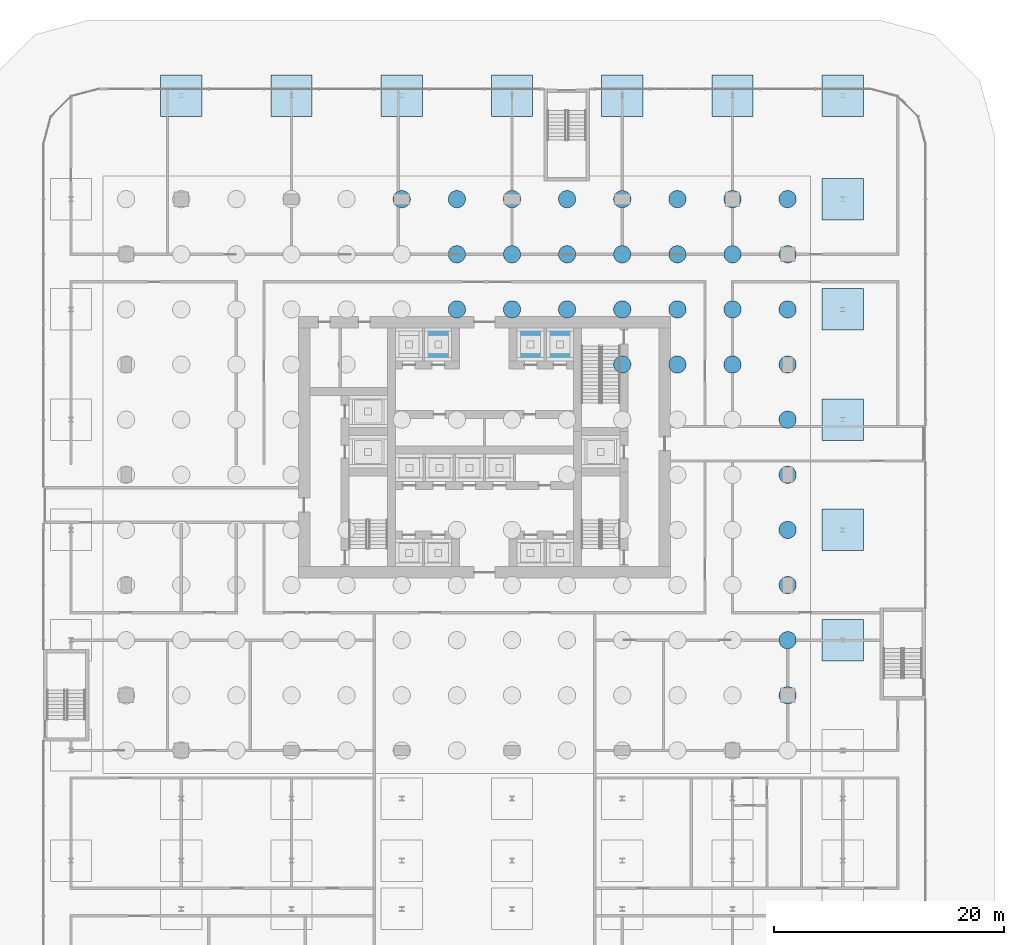
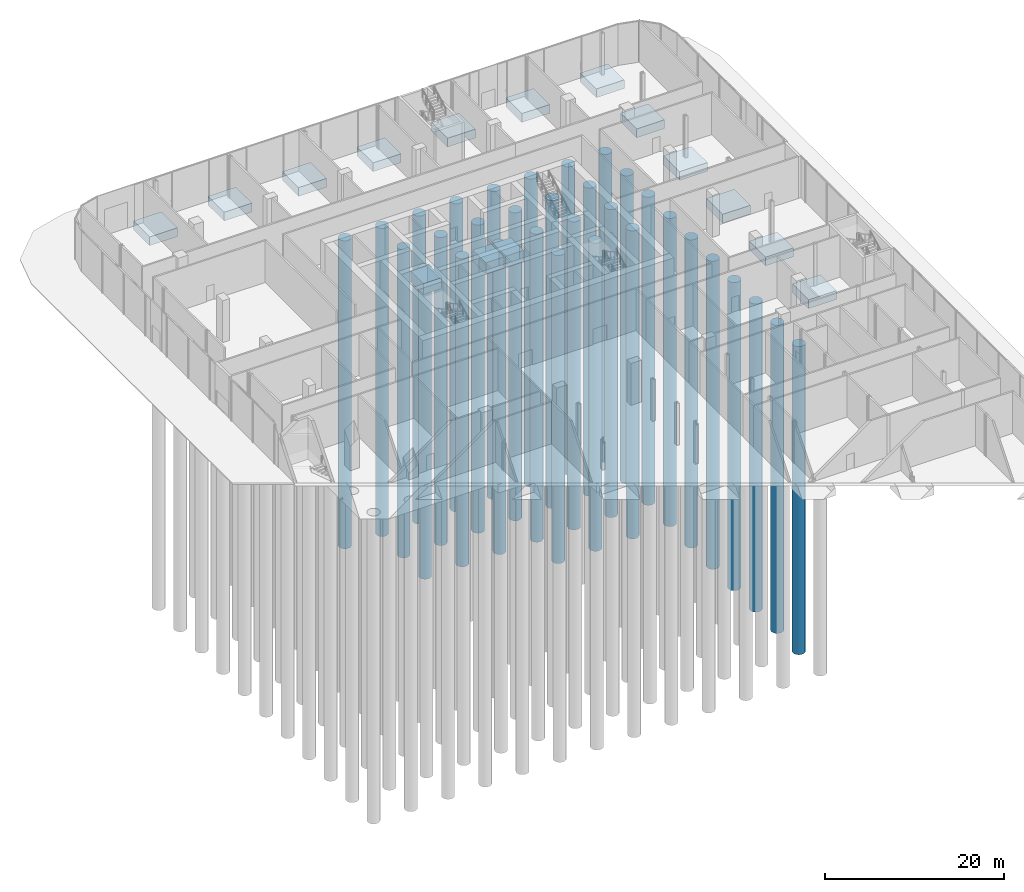
# One storey, part 2 of 44: 32 piles, 15 footings.
"""IFC4 building model written with IfcOpenShell, lengths in metres."""

from ifc_helpers import new_model, si_unit, direction, frame, origin, origin_2d, place, context, subcontext, project, spatial, polyline, rectangle, circle, outline, extrude, material, layer, layer_set, material_profile, profile_set, type_object, element, save


model = new_model("IFC4")

# Units and contexts
model_context = context("Model", 3, precision=1e-05, world=origin(), true_north=direction((0.0, 1.0)))
body_context = subcontext(model_context, "Body", "Model", "MODEL_VIEW")
ifc_project = project(units=[si_unit("LENGTHUNIT", "METRE"), si_unit("AREAUNIT", "SQUARE_METRE"), si_unit("VOLUMEUNIT", "CUBIC_METRE"), si_unit("PLANEANGLEUNIT", "RADIAN"), si_unit("MASSUNIT", "GRAM", prefix="KILO")], contexts=[model_context])

# Site, building, storey
site_placement = place(None, origin())
site = spatial("IfcSite", under=ifc_project, at=site_placement, CompositionType="ELEMENT")
building_placement = place(site_placement, origin())
building = spatial("IfcBuilding", under=site, at=building_placement, Name="Madar Terraces", CompositionType="ELEMENT")
storey_placement = place(building_placement, origin())
storey = spatial("IfcBuildingStorey", under=building, at=storey_placement, Name="L00", CompositionType="ELEMENT", Elevation=0.0)

# Piles
ifc_material_1 = material(Name="Concrete C40/50", Category="concrete")
ifc_material_profile = material_profile(ifc_material_1, circle(Radius=0.75, at=origin_2d()), Name="BP1 bored pile 1500")
ifc_profile_set = profile_set([ifc_material_profile], Name="Concrete C40/50")
pile_type = type_object("IfcPileType", Name="BP1 bored pile 1500", PredefinedType="BORED", material=ifc_profile_set)
for number, where, z_axis, x_axis, name in (
    (1, (57.60009765625, 4.800048828125, -3.300048828125), (0.0, 0.0, -1.0), (1.0, 0.0, 0.0), "Bored pile"),
    (2, (57.60009765625, 9.60009765625, -3.300048828125), (0.0, 0.0, -1.0), (1.0, 0.0, 0.0), "Bored pile"),
    (3, (57.60009765625, 14.39990234375, -3.300048828125), (0.0, 0.0, -1.0), (1.0, 0.0, 0.0), "Bored pile"),
    (4, (57.60009765625, 19.199951171875, -3.300048828125), (0.0, 0.0, -1.0), (1.0, 0.0, 0.0), "Bored pile"),
    (5, (57.60009765625, 24.0, -3.300048828125), (0.0, 0.0, -1.0), (1.0, 0.0, 0.0), "Bored pile"),
    (6, (57.60009765625, 28.800048828125, -3.300048828125), (0.0, 0.0, -1.0), (1.0, 0.0, 0.0), "Bored pile"),
    (7, (43.199951171875, 33.60009765625, -3.300048828125), (0.0, 0.0, -1.0), (1.0, 0.0, 0.0), "Bored pile"),
    (8, (48.0, 33.60009765625, -3.300048828125), (0.0, 0.0, -1.0), (1.0, 0.0, 0.0), "Bored pile"),
    (9, (52.800048828125, 33.60009765625, -3.300048828125), (0.0, 0.0, -1.0), (1.0, 0.0, 0.0), "Bored pile"),
    (10, (57.60009765625, 33.60009765625, -3.300048828125), (0.0, 0.0, -1.0), (1.0, 0.0, 0.0), "Bored pile"),
    (11, (28.800048828125, 38.39990234375, -3.300048828125), (0.0, 0.0, -1.0), (1.0, 0.0, 0.0), "Bored pile"),
    (12, (33.60009765625, 38.39990234375, -3.300048828125), (0.0, 0.0, -1.0), (1.0, 0.0, 0.0), "Bored pile"),
    (13, (38.39990234375, 38.39990234375, -3.300048828125), (0.0, 0.0, -1.0), (1.0, 0.0, 0.0), "Bored pile"),
    (14, (43.199951171875, 38.39990234375, -3.300048828125), (0.0, 0.0, -1.0), (1.0, 0.0, 0.0), "Bored pile"),
    (15, (48.0, 38.39990234375, -3.300048828125), (0.0, 0.0, -1.0), (1.0, 0.0, 0.0), "Bored pile"),
    (16, (52.800048828125, 38.39990234375, -3.300048828125), (0.0, 0.0, -1.0), (1.0, 0.0, 0.0), "Bored pile"),
    (17, (57.60009765625, 38.39990234375, -3.300048828125), (0.0, 0.0, -1.0), (1.0, 0.0, 0.0), "Bored pile"),
    (18, (28.800048828125, 43.199951171875, -3.300048828125), (0.0, 0.0, -1.0), (1.0, 0.0, 0.0), "Bored pile"),
    (19, (33.60009765625, 43.199951171875, -3.300048828125), (0.0, 0.0, -1.0), (1.0, 0.0, 0.0), "Bored pile"),
    (20, (38.39990234375, 43.199951171875, -3.300048828125), (0.0, 0.0, -1.0), (1.0, 0.0, 0.0), "Bored pile"),
    (21, (43.199951171875, 43.199951171875, -3.300048828125), (0.0, 0.0, -1.0), (1.0, 0.0, 0.0), "Bored pile"),
    (22, (48.0, 43.199951171875, -3.300048828125), (0.0, 0.0, -1.0), (1.0, 0.0, 0.0), "Bored pile"),
    (23, (52.800048828125, 43.199951171875, -3.300048828125), (0.0, 0.0, -1.0), (1.0, 0.0, 0.0), "Bored pile"),
    (24, (57.60009765625, 43.199951171875, -3.300048828125), (0.0, 0.0, -1.0), (1.0, 0.0, 0.0), "Bored pile"),
    (25, (24.0, 48.0, -3.300048828125), (0.0, 0.0, -1.0), (1.0, 0.0, 0.0), "Bored pile"),
    (26, (28.800048828125, 48.0, -3.300048828125), (0.0, 0.0, -1.0), (1.0, 0.0, 0.0), "Bored pile"),
    (27, (33.60009765625, 48.0, -3.300048828125), (0.0, 0.0, -1.0), (1.0, 0.0, 0.0), "Bored pile"),
    (28, (38.39990234375, 48.0, -3.300048828125), (0.0, 0.0, -1.0), (1.0, 0.0, 0.0), "Bored pile"),
    (29, (43.199951171875, 48.0, -3.300048828125), (0.0, 0.0, -1.0), (1.0, 0.0, 0.0), "Bored pile"),
    (30, (48.0, 48.0, -3.300048828125), (0.0, 0.0, -1.0), (1.0, 0.0, 0.0), "Bored pile"),
    (31, (52.800048828125, 48.0, -3.300048828125), (0.0, 0.0, -1.0), (1.0, 0.0, 0.0), "Bored pile"),
    (32, (57.60009765625, 48.0, -3.300048828125), (0.0, 0.0, -1.0), (1.0, 0.0, 0.0), "Bored pile"),
):
    element("IfcPile", number, at=place(storey_placement, frame(where, z_axis=z_axis, x_axis=x_axis)), inside=storey, type_object=pile_type, Name=name, PredefinedType="BORED", context=body_context, shape_type="SweptSolid", body=[
        extrude(circle(Radius=0.75, at=origin_2d()), origin(), (0.0, 0.0, 1.0), 42.0),
    ])

# Footings
ifc_material_2 = material(Name="Concrete C40/50", Category="concrete")
ifc_layer = layer(ifc_material_2, 1.5)
ifc_layer_set = layer_set([ifc_layer], Name="Lift pit footing C40/50")
footing_type_1 = type_object("IfcFootingType", Name="Lift pit footing C40/50", PredefinedType="PAD_FOOTING", material=ifc_layer_set)
footing_1_placement = place(storey_placement, frame((0.0, 0.0, -3.300048828125)))
element("IfcFooting", 33, at=footing_1_placement, inside=storey, type_object=footing_type_1, Name="LIFT PIT FOOTING", PredefinedType="PAD_FOOTING", context=body_context, shape_type="SweptSolid", body=[
    extrude(outline(polyline([(26.0, 33.89990234375), (28.35009765625, 33.89990234375), (28.35009765625, 36.800048828125), (26.0, 36.800048828125), (26.0, 33.89990234375)])), origin(), (0.0, 0.0, 1.0), 1.5),
])
footing_2_placement = place(storey_placement, frame((0.0, 0.0, -3.300048828125)))
element("IfcFooting", 34, at=footing_2_placement, inside=storey, type_object=footing_type_1, Name="LIFT PIT FOOTING", PredefinedType="PAD_FOOTING", context=body_context, shape_type="SweptSolid", body=[
    extrude(outline(polyline([(34.050048828125, 33.89990234375), (36.39990234375, 33.89990234375), (36.39990234375, 36.800048828125), (34.050048828125, 36.800048828125), (34.050048828125, 33.89990234375)])), origin(), (0.0, 0.0, 1.0), 1.5),
])
footing_3_placement = place(storey_placement, frame((0.0, 0.0, -3.300048828125)))
element("IfcFooting", 35, at=footing_3_placement, inside=storey, type_object=footing_type_1, Name="LIFT PIT FOOTING", PredefinedType="PAD_FOOTING", context=body_context, shape_type="SweptSolid", body=[
    extrude(outline(polyline([(36.60009765625, 33.89990234375), (38.949951171875, 33.89990234375), (38.949951171875, 36.800048828125), (36.60009765625, 36.800048828125), (36.60009765625, 33.89990234375)])), origin(), (0.0, 0.0, 1.0), 1.5),
])
ifc_material_3 = material(Name="Concrete C40/50", Category="concrete")
footing_type_2 = type_object("IfcFootingType", Name="PD1 spread pad 3600", PredefinedType="PAD_FOOTING", material=ifc_material_3)
for number, where, z_axis, x_axis, name in (
    (36, (4.800048828125, 57.0, -1.5), (0.0, 0.0, 1.0), (1.0, 0.0, 0.0), "Spread pad under podium column"),
    (37, (14.39990234375, 57.0, -1.5), (0.0, 0.0, 1.0), (1.0, 0.0, 0.0), "Spread pad under podium column"),
    (38, (24.0, 57.0, -1.5), (0.0, 0.0, 1.0), (1.0, 0.0, 0.0), "Spread pad under podium column"),
    (39, (33.60009765625, 57.0, -1.5), (0.0, 0.0, 1.0), (1.0, 0.0, 0.0), "Spread pad under podium column"),
    (40, (43.199951171875, 57.0, -1.5), (0.0, 0.0, 1.0), (1.0, 0.0, 0.0), "Spread pad under podium column"),
    (41, (52.800048828125, 57.0, -1.5), (0.0, 0.0, 1.0), (1.0, 0.0, 0.0), "Spread pad under podium column"),
    (42, (62.39990234375, 9.60009765625, -1.5), (0.0, 0.0, 1.0), (1.0, 0.0, 0.0), "Spread pad under podium column"),
    (43, (62.39990234375, 19.199951171875, -1.5), (0.0, 0.0, 1.0), (1.0, 0.0, 0.0), "Spread pad under podium column"),
    (44, (62.39990234375, 28.800048828125, -1.5), (0.0, 0.0, 1.0), (1.0, 0.0, 0.0), "Spread pad under podium column"),
    (45, (62.39990234375, 38.39990234375, -1.5), (0.0, 0.0, 1.0), (1.0, 0.0, 0.0), "Spread pad under podium column"),
    (46, (62.39990234375, 48.0, -1.5), (0.0, 0.0, 1.0), (1.0, 0.0, 0.0), "Spread pad under podium column"),
    (47, (62.39990234375, 57.0, -1.5), (0.0, 0.0, 1.0), (1.0, 0.0, 0.0), "Spread pad under podium column"),
):
    element("IfcFooting", number, at=place(storey_placement, frame(where, z_axis=z_axis, x_axis=x_axis)), inside=storey, type_object=footing_type_2, Name=name, PredefinedType="PAD_FOOTING", context=body_context, shape_type="SweptSolid", body=[
        extrude(rectangle(XDim=3.60009765625, YDim=3.60009765625, at=origin_2d()), origin(), (0.0, 0.0, 1.0), 1.199951171875),
    ])

save(model, "model.ifc")
